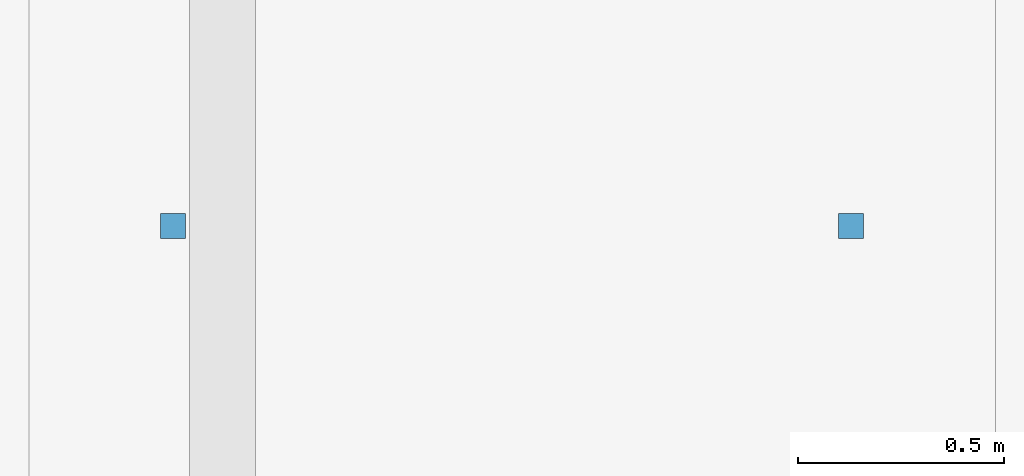
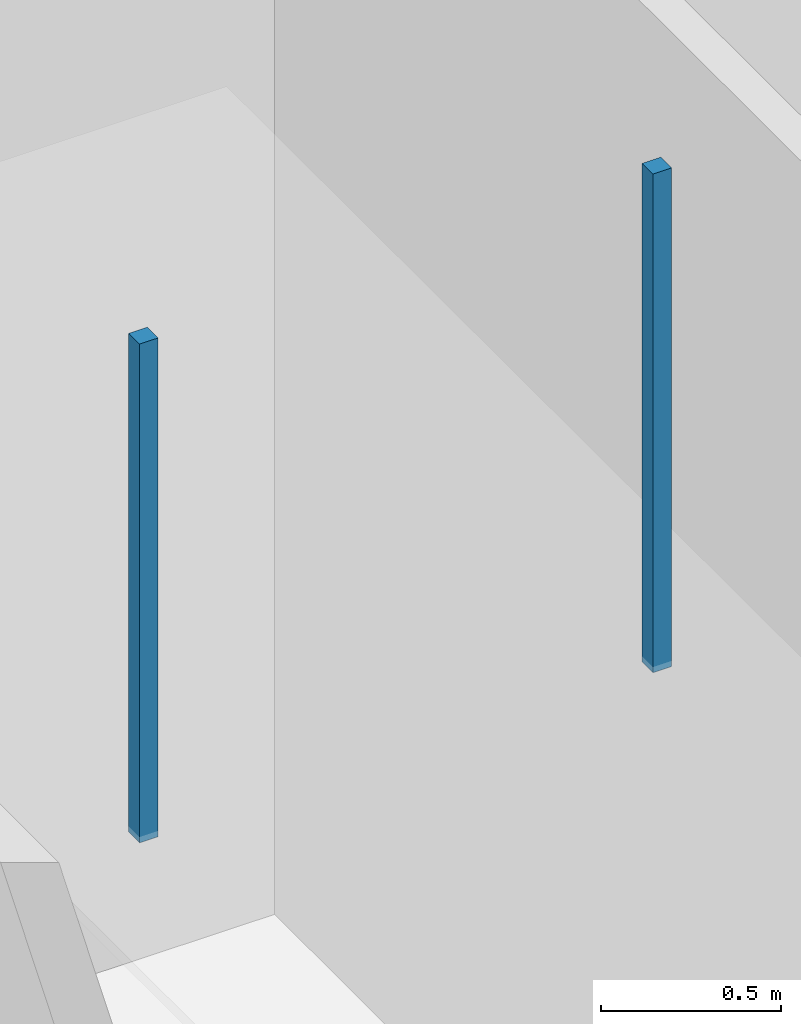
# One storey, part 99 of 126: 2 discrete accessories.
"""IFC4 building model written with IfcOpenShell, lengths in metres."""

import ifcopenshell
import ifcopenshell.guid

model = None  # the IFC model being written
_history = None  # IfcOwnerHistory: only IFC2X3 demands one
_inside = {}  # id of a spatial element -> (the spatial element, [elements in it])
_under = {}  # id of a project, library or spatial element -> (it, [spatial elements below it])
_declared = {}  # id of a project -> (the project, [libraries it declares])
_typed = {}  # id of a type object -> (the type object, [elements of that type])
_made_of = {}  # id of a material, layer set ... -> (it, [elements and type objects made of it])


def new_model(schema):
    """Start an empty IFC model of exactly this schema.

    Asked for "IFC4X3", IfcOpenShell would pick the latest addendum, in which some entities
    have other attributes; the version numbers below select the first issue.
    IFC2X3 requires an IfcOwnerHistory on every rooted entity: one is made here for all.
    """
    global model, _history
    if schema == "IFC4X3":
        model = ifcopenshell.file(schema_version=(4, 3, 0, 0))
    else:
        model = ifcopenshell.file(schema=schema)
    _inside.clear()
    _under.clear()
    _declared.clear()
    _typed.clear()
    _made_of.clear()
    _history = None
    if model.schema == "IFC2X3":
        org = make("IfcOrganization", Name="unknown")
        user = make(
            "IfcPersonAndOrganization",
            ThePerson=make("IfcPerson", FamilyName="unknown"),
            TheOrganization=org,
        )
        app = make(
            "IfcApplication",
            ApplicationDeveloper=org,
            Version="unknown",
            ApplicationFullName="unknown",
            ApplicationIdentifier="unknown",
        )
        _history = make(
            "IfcOwnerHistory",
            OwningUser=user,
            OwningApplication=app,
            ChangeAction="ADDED",
            CreationDate=0,
        )
    return model


def make(cls, **values):
    """One entity of the class cls with the attributes given. An attribute that is None is left unset."""
    return model.create_entity(
        cls, **{name: value for name, value in values.items() if value is not None}
    )


def rooted(cls, **values):
    """An entity with a GlobalId (a new one), such as an element, a storey or a relation."""
    return make(cls, GlobalId=ifcopenshell.guid.new(), OwnerHistory=_history, **values)


def si_unit(unit_type, name, prefix=None):
    """IfcSIUnit, for example si_unit("LENGTHUNIT", "METRE", prefix="MILLI")."""
    return make("IfcSIUnit", UnitType=unit_type, Prefix=prefix, Name=name)


def assignment(units):
    """IfcUnitAssignment: the units of a project."""
    return None if units is None else make("IfcUnitAssignment", Units=units)


def point(xyz):
    """IfcCartesianPoint."""
    return None if xyz is None else make("IfcCartesianPoint", Coordinates=xyz)


def direction(xyz):
    """IfcDirection."""
    return None if xyz is None else make("IfcDirection", DirectionRatios=xyz)


def frame(location, z_axis=None, x_axis=None):
    """IfcAxis2Placement3D, a coordinate frame: its origin and axes. An axis left out is left unset."""
    return make(
        "IfcAxis2Placement3D",
        Location=point(location),
        Axis=direction(z_axis),
        RefDirection=direction(x_axis),
    )


def frame_2d(location, x_axis=None):
    """IfcAxis2Placement2D, a coordinate frame in the plane: its origin and x axis."""
    return make(
        "IfcAxis2Placement2D", Location=point(location), RefDirection=direction(x_axis)
    )


def origin():
    """The frame at (0, 0, 0) with its axes left unset."""
    return frame((0.0, 0.0, 0.0))


def origin_2d():
    """The frame at (0, 0) in the plane with its x axis left unset."""
    return frame_2d((0.0, 0.0))


def place(relative_to, where):
    """IfcLocalPlacement: puts the frame where relative to a parent placement (None: the world)."""
    return make(
        "IfcLocalPlacement", PlacementRelTo=relative_to, RelativePlacement=where
    )


def context(
    kind, dimensions, precision=None, world=None, true_north=None, identifier=None
):
    """IfcGeometricRepresentationContext, for example the 3D "Model" context."""
    return make(
        "IfcGeometricRepresentationContext",
        ContextIdentifier=identifier,
        ContextType=kind,
        CoordinateSpaceDimension=dimensions,
        Precision=precision,
        WorldCoordinateSystem=world,
        TrueNorth=true_north,
    )


def subcontext(parent, identifier, kind, view, scale=None):
    """IfcGeometricRepresentationSubContext, for example "Body" below "Model"."""
    return make(
        "IfcGeometricRepresentationSubContext",
        ContextIdentifier=identifier,
        ContextType=kind,
        ParentContext=parent,
        TargetScale=scale,
        TargetView=view,
    )


def project(units=None, contexts=None):
    """IfcProject with its units and contexts."""
    return rooted(
        "IfcProject",
        Name="project",
        RepresentationContexts=contexts,
        UnitsInContext=assignment(units),
    )


def spatial(cls, under=None, at=None, **own):
    """A site, building, storey or space (cls), placed at a placement, below another one or the project."""
    s = rooted(cls, ObjectPlacement=at, **own)
    if under is not None:
        _under.setdefault(under.id(), (under, []))[1].append(s)
    return s


def profile(cls, at=None, kind="AREA", **sizes):
    """A parametric profile (cls). Its sizes go by their IFC names, for example OverallWidth=200.0."""
    return make(cls, ProfileType=kind, Position=at, **sizes)


def rectangle(**sizes):
    """IfcRectangleProfileDef."""
    return profile("IfcRectangleProfileDef", **sizes)


def extrude(swept, where, along, depth):
    """IfcExtrudedAreaSolid: the profile swept, set in the frame where, extruded along a direction by depth."""
    return make(
        "IfcExtrudedAreaSolid",
        SweptArea=swept,
        Position=where,
        ExtrudedDirection=direction(along),
        Depth=depth,
    )


def shape(context_of_items, identifier, shape_type, items):
    """IfcShapeRepresentation: the items that make up one representation, for example the "Body"."""
    return make(
        "IfcShapeRepresentation",
        ContextOfItems=context_of_items,
        RepresentationIdentifier=identifier,
        RepresentationType=shape_type,
        Items=items,
    )


def material(Name=None, Category=None):
    """IfcMaterial."""
    return make("IfcMaterial", Name=Name, Category=Category)


def made_of(thing, what):
    """Note that an element or type object is made of a material, layer set ...; save() writes the relation."""
    if what is not None:
        _made_of.setdefault(what.id(), (what, []))[1].append(thing)
    return thing


def type_object(cls, material=None, **own):
    """A type object (cls), such as IfcWallType, which elements share."""
    return made_of(rooted(cls, **own), material)


def element(
    cls,
    number,
    at=None,
    inside=None,
    cuts=None,
    type_object=None,
    material=None,
    context=None,
    identifier="Body",
    shape_type=None,
    held_by="IfcProductDefinitionShape",
    body=None,
    shapes=None,
    **own,
):
    """One element of the class cls, such as IfcWall. Its Tag is "e" and its number.

    at: its placement. inside: the storey or other place that contains it. cuts: it is an
    opening in that element (IfcRelVoidsElement). A single representation is given by context,
    identifier, shape_type and body (its items); several are given by shapes. held_by: the class
    of the entity that holds the representations. save() writes the other relations.
    """
    e = rooted(cls, Tag="e%d" % number, ObjectPlacement=at, **own)
    if body is not None:
        shapes = [shape(context, identifier, shape_type, body)]
    if shapes is not None:
        e.Representation = make(held_by, Representations=shapes)
    if inside is not None:
        _inside.setdefault(inside.id(), (inside, []))[1].append(e)
    if cuts is not None:
        rooted(
            "IfcRelVoidsElement", RelatingBuildingElement=cuts, RelatedOpeningElement=e
        )
    if type_object is not None:
        _typed.setdefault(type_object.id(), (type_object, []))[1].append(e)
    return made_of(e, material)


def aggregate(whole, parts):
    """IfcRelAggregates: a whole, such as a stair, and the parts it consists of."""
    return rooted("IfcRelAggregates", RelatingObject=whole, RelatedObjects=parts)


def save(model, path):
    """Write the relations noted so far, then the file.

    IfcRelAggregates (storeys below a building ...), IfcRelContainedInSpatialStructure (elements
    in a storey), IfcRelDefinesByType, IfcRelAssociatesMaterial and IfcRelDeclares: one each for
    every whole, place, type object, material and project.
    """
    for whole, parts in _under.values():
        aggregate(whole, parts)
    for where, things in _inside.values():
        rooted(
            "IfcRelContainedInSpatialStructure",
            RelatedElements=things,
            RelatingStructure=where,
        )
    for kind, things in _typed.values():
        rooted("IfcRelDefinesByType", RelatedObjects=things, RelatingType=kind)
    for what, things in _made_of.values():
        rooted("IfcRelAssociatesMaterial", RelatedObjects=things, RelatingMaterial=what)
    for by, libraries in _declared.values():
        rooted("IfcRelDeclares", RelatingContext=by, RelatedDefinitions=libraries)
    model.write(path)


model = new_model("IFC4")

# Units and contexts
model_context = context("Model", 3, precision=1e-05, world=origin(), true_north=direction((0.0, 1.0)))
body_context = subcontext(model_context, "Body", "Model", "MODEL_VIEW")
ifc_project = project(units=[si_unit("LENGTHUNIT", "METRE"), si_unit("AREAUNIT", "SQUARE_METRE"), si_unit("VOLUMEUNIT", "CUBIC_METRE"), si_unit("PLANEANGLEUNIT", "RADIAN"), si_unit("MASSUNIT", "GRAM", prefix="KILO")], contexts=[model_context])

# Site, building, storey
site_placement = place(None, origin())
site = spatial("IfcSite", under=ifc_project, at=site_placement, CompositionType="ELEMENT")
building_placement = place(site_placement, origin())
building = spatial("IfcBuilding", under=site, at=building_placement, Name="Khelvaren Railside Concert Hall", CompositionType="ELEMENT")
storey_placement = place(building_placement, origin())
storey = spatial("IfcBuildingStorey", under=building, at=storey_placement, Name="L00", CompositionType="ELEMENT", Elevation=0.0)

# Discrete accessories
ifc_material = material(Name="Galvanised steel acoustic ceiling hanger rod", Category="steel")
discrete_accessory_type = type_object("IfcDiscreteAccessoryType", Name="BRK62", PredefinedType="BRACKET", material=ifc_material)
for number, where, z_axis, x_axis, name in (
    (1, (155.8798828125, 110.125, 3.429931640625), (0.0, 0.0, 1.0), (1.0, 0.0, 0.0), "Acoustic Ceiling Suspension Bracket 134-1"),
    (2, (157.52587890625, 110.125, 3.429931640625), (0.0, 0.0, 1.0), (1.0, 0.0, 0.0), "Acoustic Ceiling Suspension Bracket 134-2"),
):
    element("IfcDiscreteAccessory", number, at=place(storey_placement, frame(where, z_axis=z_axis, x_axis=x_axis)), inside=storey, type_object=discrete_accessory_type, Name=name, PredefinedType="BRACKET", context=body_context, shape_type="SweptSolid", body=[
        extrude(rectangle(XDim=0.06005859375, YDim=0.06005859375, at=origin_2d()), origin(), (0.0, 0.0, 1.0), 1.68994140625),
    ])

save(model, "model.ifc")
